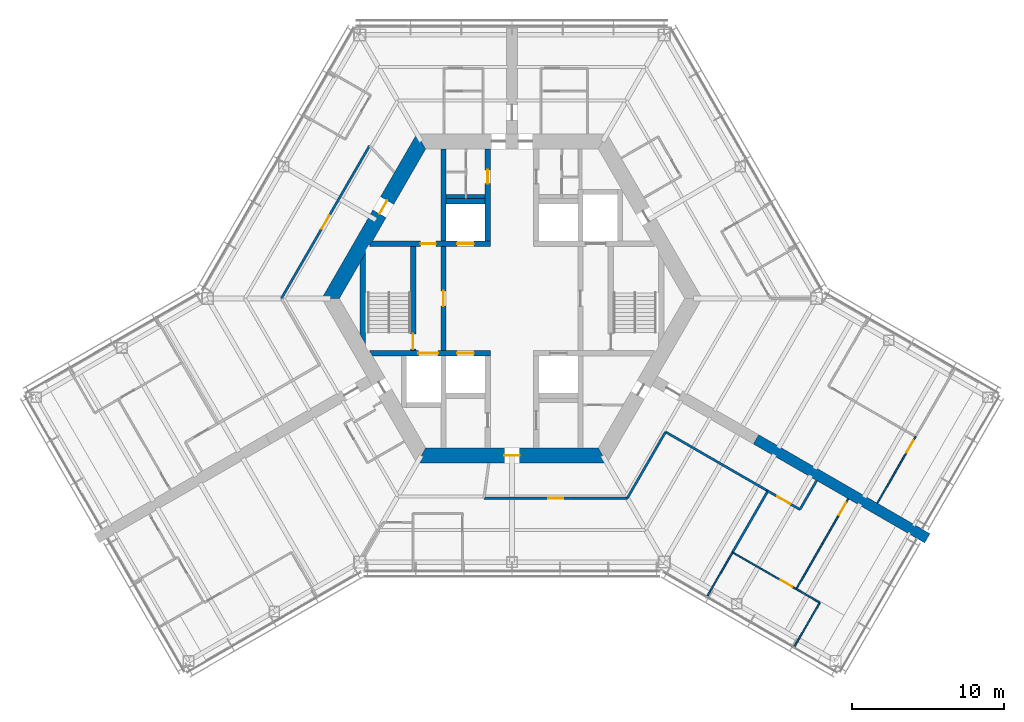
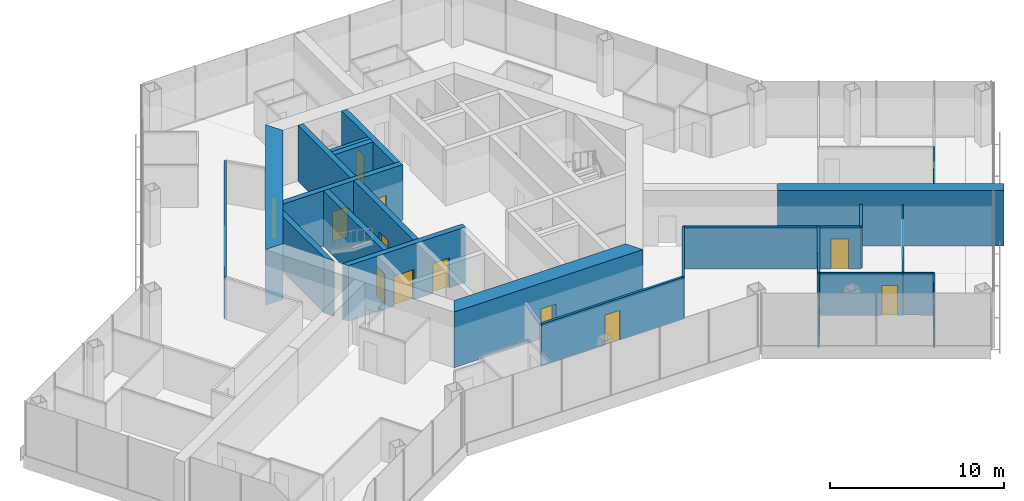
# One storey, part 13 of 18: 25 walls, 15 doors, 15 openings.
"""IFC4 building model written with IfcOpenShell, lengths in metres."""

from ifc_helpers import new_model, si_unit, direction, frame, frame_2d, origin, place, context, subcontext, project, spatial, polyline, rectangle, outline, extrude, material, layer, layer_set, type_object, element, fill, save


model = new_model("IFC4")

# Units and contexts
model_context = context("Model", 3, precision=1e-05, world=origin(), true_north=direction((0.0, 1.0)))
body_context = subcontext(model_context, "Body", "Model", "MODEL_VIEW")
ifc_project = project(units=[si_unit("LENGTHUNIT", "METRE"), si_unit("AREAUNIT", "SQUARE_METRE"), si_unit("VOLUMEUNIT", "CUBIC_METRE"), si_unit("PLANEANGLEUNIT", "RADIAN"), si_unit("MASSUNIT", "GRAM", prefix="KILO")], contexts=[model_context])

# Site, building, storey
site_placement = place(None, origin())
site = spatial("IfcSite", under=ifc_project, at=site_placement, CompositionType="ELEMENT")
building_placement = place(site_placement, origin())
building = spatial("IfcBuilding", under=site, at=building_placement, Name="Kasaneha Research Tower", CompositionType="ELEMENT")
storey_placement = place(building_placement, frame((0.0, 0.0, 191.60009765625)))
storey = spatial("IfcBuildingStorey", under=building, at=storey_placement, Name="L48", CompositionType="ELEMENT", Elevation=191.60009765625)

# Wall, openings, doors
ifc_material_1 = material(Name="Concrete Fc70", Category="concrete")
ifc_layer_1 = layer(ifc_material_1, 0.35009765625)
ifc_layer_set_1 = layer_set([ifc_layer_1], Name="Core internal wall 350 Fc70")
wall_type_1 = type_object("IfcWallType", Name="Core internal wall 350 Fc70", PredefinedType="SHEAR", material=ifc_layer_set_1)
wall_1_placement = place(storey_placement, frame((-9.266357421875, 3.60009765625, 0.0), z_axis=(0.0, 0.0, 1.0), x_axis=(1.0, 0.0, 0.0)))
wall_1 = element("IfcWall", 1, at=wall_1_placement, inside=storey, type_object=wall_type_1, Name="Core wall W1W L48", PredefinedType="SHEAR", context=body_context, shape_type="SweptSolid", body=[
    extrude(outline(polyline([(-0.10107421875, -0.175048828125), (3.266357421875, -0.175048828125), (4.266357421875, -0.175048828125), (5.66650390625, -0.175048828125), (6.7666015625, -0.175048828125), (7.84130859375, -0.175048828125), (7.84130859375, 0.175048828125), (6.7666015625, 0.175048828125), (5.66650390625, 0.175048828125), (4.266357421875, 0.175048828125), (3.266357421875, 0.175048828125), (0.10107421875, 0.175048828125), (-0.10107421875, -0.175048828125)])), origin(), (0.0, 0.0, 1.0), 3.89990234375),
])
opening_1_placement = place(wall_1_placement, frame((3.266357421875, 0.0, 0.0)))
opening_1 = element("IfcOpeningElement", 2, at=opening_1_placement, cuts=wall_1, Name="Opening L48-D12", PredefinedType="OPENING", context=body_context, shape_type="SweptSolid", body=[
    extrude(rectangle(XDim=1.0, YDim=2.10009765625, at=frame_2d((0.5, 1.050048828125))), frame((0.0, 0.18505859375, 0.0), z_axis=(0.0, -1.0, 0.0), x_axis=(1.0, 0.0, 0.0)), (0.0, 0.0, 1.0), 0.3701171875),
])
opening_2_placement = place(wall_1_placement, frame((5.66650390625, 0.0, 0.0)))
opening_2 = element("IfcOpeningElement", 3, at=opening_2_placement, cuts=wall_1, Name="Opening LD-LM1-L48", PredefinedType="OPENING", context=body_context, shape_type="SweptSolid", body=[
    extrude(rectangle(XDim=1.10009765625, YDim=2.10009765625, at=frame_2d((0.550048828125, 1.050048828125))), frame((0.0, 0.18505859375, 0.0), z_axis=(0.0, -1.0, 0.0), x_axis=(1.0, 0.0, 0.0)), (0.0, 0.0, 1.0), 0.3701171875),
])
ifc_material_2 = material(Name="Steel", Category="steel")
door_type_1 = type_object("IfcDoorType", Name="Lift landing door 1100x2100", OperationType="DOUBLE_DOOR_SLIDING", PredefinedType="DOOR", material=ifc_material_2)
door_1_placement = place(opening_2_placement, origin())
door_1 = element("IfcDoor", 4, at=door_1_placement, inside=storey, type_object=door_type_1, Name="Landing door LM1 LD-LM1-L48", OperationType="DOUBLE_DOOR_SLIDING", OverallHeight=2.10009765625, OverallWidth=1.10009765625, PredefinedType="DOOR", context=body_context, shape_type="SweptSolid", body=[
    extrude(rectangle(XDim=1.10009765625, YDim=2.10009765625, at=frame_2d((0.550048828125, 1.050048828125))), frame((0.0, 0.02490234375, 0.0), z_axis=(0.0, -1.0, 0.0), x_axis=(1.0, 0.0, 0.0)), (0.0, 0.0, 1.0), 0.050048828125),
])
fill(opening_2, door_1)
ifc_material_3 = material(Name="Steel", Category="steel")
door_type_2 = type_object("IfcDoorType", Name="Specified fire door FD60 1000x2100", OperationType="NOTDEFINED", PredefinedType="DOOR", material=ifc_material_3)
door_2_placement = place(opening_1_placement, origin())
door_2 = element("IfcDoor", 5, at=door_2_placement, inside=storey, type_object=door_type_2, Name="Vestibule to lobby door L48-D12", OperationType="SINGLE_SWING_LEFT", OverallHeight=2.10009765625, OverallWidth=1.0, PredefinedType="DOOR", context=body_context, shape_type="SweptSolid", body=[
    extrude(rectangle(XDim=1.0, YDim=2.10009765625, at=frame_2d((0.5, 1.050048828125))), frame((0.0, 0.02490234375, 0.0), z_axis=(0.0, -1.0, 0.0), x_axis=(1.0, 0.0, 0.0)), (0.0, 0.0, 1.0), 0.050048828125),
])
fill(opening_1, door_2)

wall_2_placement = place(storey_placement, frame((-9.266357421875, -3.60009765625, 0.0), z_axis=(0.0, 0.0, 1.0), x_axis=(1.0, 0.0, 0.0)))
wall_2 = element("IfcWall", 6, at=wall_2_placement, inside=storey, type_object=wall_type_1, Name="Core wall W2W L48", PredefinedType="SHEAR", context=body_context, shape_type="SweptSolid", body=[
    extrude(outline(polyline([(0.10107421875, -0.175048828125), (3.116455078125, -0.175048828125), (4.41650390625, -0.175048828125), (5.66650390625, -0.175048828125), (6.7666015625, -0.175048828125), (7.84130859375, -0.175048828125), (7.84130859375, 0.175048828125), (6.7666015625, 0.175048828125), (5.66650390625, 0.175048828125), (4.41650390625, 0.175048828125), (3.116455078125, 0.175048828125), (-0.10107421875, 0.175048828125), (0.10107421875, -0.175048828125)])), origin(), (0.0, 0.0, 1.0), 3.89990234375),
])
opening_3_placement = place(wall_2_placement, frame((5.66650390625, 0.0, 0.0)))
opening_3 = element("IfcOpeningElement", 7, at=opening_3_placement, cuts=wall_2, Name="Opening LD-LM3-L48", PredefinedType="OPENING", context=body_context, shape_type="SweptSolid", body=[
    extrude(rectangle(XDim=1.10009765625, YDim=2.10009765625, at=frame_2d((0.550048828125, 1.050048828125))), frame((0.0, 0.18505859375, 0.0), z_axis=(0.0, -1.0, 0.0), x_axis=(1.0, 0.0, 0.0)), (0.0, 0.0, 1.0), 0.3701171875),
])
opening_4_placement = place(wall_2_placement, frame((3.116455078125, 0.0, 0.0)))
opening_4 = element("IfcOpeningElement", 8, at=opening_4_placement, cuts=wall_2, Name="Opening LD-FL2-L48", PredefinedType="OPENING", context=body_context, shape_type="SweptSolid", body=[
    extrude(rectangle(XDim=1.300048828125, YDim=2.10009765625, at=frame_2d((0.64990234375, 1.050048828125))), frame((0.0, 0.18505859375, 0.0), z_axis=(0.0, -1.0, 0.0), x_axis=(1.0, 0.0, 0.0)), (0.0, 0.0, 1.0), 0.3701171875),
])
door_3_placement = place(opening_3_placement, origin())
door_3 = element("IfcDoor", 9, at=door_3_placement, inside=storey, type_object=door_type_1, Name="Landing door LM3 LD-LM3-L48", OperationType="DOUBLE_DOOR_SLIDING", OverallHeight=2.10009765625, OverallWidth=1.10009765625, PredefinedType="DOOR", context=body_context, shape_type="SweptSolid", body=[
    extrude(rectangle(XDim=1.10009765625, YDim=2.10009765625, at=frame_2d((0.550048828125, 1.050048828125))), frame((0.0, 0.02490234375, 0.0), z_axis=(0.0, -1.0, 0.0), x_axis=(1.0, 0.0, 0.0)), (0.0, 0.0, 1.0), 0.050048828125),
])
fill(opening_3, door_3)
ifc_material_4 = material(Name="Steel", Category="steel")
door_type_3 = type_object("IfcDoorType", Name="Lift landing door 1300x2100", OperationType="DOUBLE_DOOR_SLIDING", PredefinedType="DOOR", material=ifc_material_4)
door_4_placement = place(opening_4_placement, origin())
door_4 = element("IfcDoor", 10, at=door_4_placement, inside=storey, type_object=door_type_3, Name="Landing door FL2 LD-FL2-L48", OperationType="DOUBLE_DOOR_SLIDING", OverallHeight=2.10009765625, OverallWidth=1.300048828125, PredefinedType="DOOR", context=body_context, shape_type="SweptSolid", body=[
    extrude(rectangle(XDim=1.300048828125, YDim=2.10009765625, at=frame_2d((0.64990234375, 1.050048828125))), frame((0.0, 0.02490234375, 0.0), z_axis=(0.0, -1.0, 0.0), x_axis=(1.0, 0.0, 0.0)), (0.0, 0.0, 1.0), 0.050048828125),
])
fill(opening_4, door_4)

# Wall, opening, door
wall_3_placement = place(storey_placement, frame((-1.60009765625, 3.77490234375, 0.0), z_axis=(0.0, 0.0, 1.0), x_axis=(0.0, 1.0, 0.0)))
wall_3 = element("IfcWall", 11, at=wall_3_placement, inside=storey, type_object=wall_type_1, Name="Core wall CNW L48", PredefinedType="SHEAR", context=body_context, shape_type="SweptSolid", body=[
    extrude(rectangle(XDim=6.050048828125, YDim=0.35009765625, at=frame_2d((3.02490234375, 0.0))), origin(), (0.0, 0.0, 1.0), 3.89990234375),
])
opening_5_placement = place(wall_3_placement, frame((3.77490234375, 0.0, 0.0)))
opening_5 = element("IfcOpeningElement", 12, at=opening_5_placement, cuts=wall_3, Name="Opening L48-D13", PredefinedType="OPENING", context=body_context, shape_type="SweptSolid", body=[
    extrude(rectangle(XDim=0.89990234375, YDim=2.10009765625, at=frame_2d((0.449951171875, 1.050048828125))), frame((0.0, 0.18505859375, 0.0), z_axis=(0.0, -1.0, 0.0), x_axis=(1.0, 0.0, 0.0)), (0.0, 0.0, 1.0), 0.3701171875),
])
ifc_material_5 = material(Name="Steel", Category="steel")
door_type_4 = type_object("IfcDoorType", Name="Toilet door FD20 900x2100", OperationType="NOTDEFINED", PredefinedType="DOOR", material=ifc_material_5)
door_5_placement = place(opening_5_placement, origin())
door_5 = element("IfcDoor", 13, at=door_5_placement, inside=storey, type_object=door_type_4, Name="Men's WC door L48-D13", OperationType="SINGLE_SWING_LEFT", OverallHeight=2.10009765625, OverallWidth=0.89990234375, PredefinedType="DOOR", context=body_context, shape_type="SweptSolid", body=[
    extrude(rectangle(XDim=0.89990234375, YDim=2.10009765625, at=frame_2d((0.449951171875, 1.050048828125))), frame((0.0, 0.02490234375, 0.0), z_axis=(0.0, -1.0, 0.0), x_axis=(1.0, 0.0, 0.0)), (0.0, 0.0, 1.0), 0.050048828125),
])
fill(opening_5, door_5)

wall_4_placement = place(storey_placement, frame((-4.5, -3.425048828125, 0.0), z_axis=(0.0, 0.0, 1.0), x_axis=(0.0, 1.0, 0.0)))
wall_4 = element("IfcWall", 14, at=wall_4_placement, inside=storey, type_object=wall_type_1, Name="Core wall LBW L48", PredefinedType="SHEAR", context=body_context, shape_type="SweptSolid", body=[
    extrude(rectangle(XDim=6.85009765625, YDim=0.35009765625, at=frame_2d((3.425048828125, 0.0))), origin(), (0.0, 0.0, 1.0), 3.89990234375),
])
opening_6_placement = place(wall_4_placement, frame((2.925048828125, 0.0, 0.0)))
opening_6 = element("IfcOpeningElement", 15, at=opening_6_placement, cuts=wall_4, Name="Opening L48-D09", PredefinedType="OPENING", context=body_context, shape_type="SweptSolid", body=[
    extrude(rectangle(XDim=1.0, YDim=2.10009765625, at=frame_2d((0.5, 1.050048828125))), frame((0.0, 0.18505859375, 0.0), z_axis=(0.0, -1.0, 0.0), x_axis=(1.0, 0.0, 0.0)), (0.0, 0.0, 1.0), 0.3701171875),
])
door_6_placement = place(opening_6_placement, origin())
door_6 = element("IfcDoor", 16, at=door_6_placement, inside=storey, type_object=door_type_2, Name="Lift lobby door west L48-D09", OperationType="SINGLE_SWING_LEFT", OverallHeight=2.10009765625, OverallWidth=1.0, PredefinedType="DOOR", context=body_context, shape_type="SweptSolid", body=[
    extrude(rectangle(XDim=1.0, YDim=2.10009765625, at=frame_2d((0.5, 1.050048828125))), frame((0.0, 0.02490234375, 0.0), z_axis=(0.0, -1.0, 0.0), x_axis=(1.0, 0.0, 0.0)), (0.0, 0.0, 1.0), 0.050048828125),
])
fill(opening_6, door_6)

wall_5_placement = place(storey_placement, frame((-6.5, -3.425048828125, 0.0), z_axis=(0.0, 0.0, 1.0), x_axis=(0.0, 1.0, 0.0)))
wall_5 = element("IfcWall", 17, at=wall_5_placement, inside=storey, type_object=wall_type_1, Name="Core wall ANW L48", PredefinedType="SHEAR", context=body_context, shape_type="SweptSolid", body=[
    extrude(rectangle(XDim=6.85009765625, YDim=0.35009765625, at=frame_2d((3.425048828125, 0.0))), origin(), (0.0, 0.0, 1.0), 3.89990234375),
])
opening_7_placement = place(wall_5_placement, frame((0.10009765625, 0.0, 0.0)))
opening_7 = element("IfcOpeningElement", 18, at=opening_7_placement, cuts=wall_5, Name="Opening L48-D11", PredefinedType="OPENING", context=body_context, shape_type="SweptSolid", body=[
    extrude(rectangle(XDim=1.0, YDim=2.10009765625, at=frame_2d((0.5, 1.050048828125))), frame((0.0, 0.18505859375, 0.0), z_axis=(0.0, -1.0, 0.0), x_axis=(1.0, 0.0, 0.0)), (0.0, 0.0, 1.0), 0.3701171875),
])
door_7_placement = place(opening_7_placement, origin())
door_7 = element("IfcDoor", 19, at=door_7_placement, inside=storey, type_object=door_type_2, Name="Stair 2 door L48-D11", OperationType="SINGLE_SWING_LEFT", OverallHeight=2.10009765625, OverallWidth=1.0, PredefinedType="DOOR", context=body_context, shape_type="SweptSolid", body=[
    extrude(rectangle(XDim=1.0, YDim=2.10009765625, at=frame_2d((0.5, 1.050048828125))), frame((0.0, 0.02490234375, 0.0), z_axis=(0.0, -1.0, 0.0), x_axis=(1.0, 0.0, 0.0)), (0.0, 0.0, 1.0), 0.050048828125),
])
fill(opening_7, door_7)

# Walls
wall_6_placement = place(storey_placement, frame((-4.5, 3.77490234375, 0.0), z_axis=(0.0, 0.0, 1.0), x_axis=(0.0, 1.0, 0.0)))
element("IfcWall", 20, at=wall_6_placement, inside=storey, type_object=wall_type_1, Name="Core wall VNW L48", PredefinedType="SHEAR", context=body_context, shape_type="SweptSolid", body=[
    extrude(rectangle(XDim=6.050048828125, YDim=0.35009765625, at=frame_2d((3.02490234375, 0.0))), origin(), (0.0, 0.0, 1.0), 3.89990234375),
])
wall_7_placement = place(storey_placement, frame((-4.324951171875, 6.39990234375, 0.0), z_axis=(0.0, 0.0, 1.0), x_axis=(1.0, 0.0, 0.0)))
element("IfcWall", 21, at=wall_7_placement, inside=storey, type_object=wall_type_1, Name="Core wall N1N L48", PredefinedType="SHEAR", context=body_context, shape_type="SweptSolid", body=[
    extrude(rectangle(XDim=2.550048828125, YDim=0.35009765625, at=frame_2d((1.27490234375, 0.0))), origin(), (0.0, 0.0, 1.0), 3.89990234375),
])
wall_8_placement = place(storey_placement, frame((-9.807861328125, -2.662353515625, 0.0), z_axis=(0.0, 0.0, 1.0), x_axis=(0.0, 1.0, 0.0)))
element("IfcWall", 22, at=wall_8_placement, inside=storey, type_object=wall_type_1, Name="Core wall STW L48", PredefinedType="SHEAR", context=body_context, shape_type="SweptSolid", body=[
    extrude(outline(polyline([(-0.30322265625, -0.175048828125), (5.6279296875, -0.175048828125), (5.021484375, 0.175048828125), (0.30322265625, 0.175048828125), (-0.30322265625, -0.175048828125)])), origin(), (0.0, 0.0, 1.0), 3.89990234375),
])

# Wall, opening, door
ifc_material_6 = material(Name="Concrete Fc70", Category="concrete")
ifc_layer_2 = layer(ifc_material_6, 1.0)
ifc_layer_set_2 = layer_set([ifc_layer_2], Name="Core wall 1000 Fc70")
wall_type_2 = type_object("IfcWallType", Name="Core wall 1000 Fc70", PredefinedType="SHEAR", material=ifc_layer_set_2)
wall_9_placement = place(storey_placement, frame((-5.961181640625, 10.324951171875, 0.0), z_axis=(0.0, 0.0, 1.0), x_axis=(-0.500004296715, -0.866022923061, 0.0)))
wall_9 = element("IfcWall", 23, at=wall_9_placement, inside=storey, type_object=wall_type_2, Name="Core wall 150 L48", PredefinedType="SHEAR", context=body_context, shape_type="SweptSolid", body=[
    extrude(outline(polyline([(-0.28857421875, -0.5), (4.494140625, -0.5), (5.494140625, -0.5), (12.2109375, -0.5), (11.6337890625, 0.5), (5.494140625, 0.5), (4.494140625, 0.5), (0.28857421875, 0.5), (-0.28857421875, -0.5)])), origin(), (0.0, 0.0, 1.0), 3.89990234375),
])
opening_8_placement = place(wall_9_placement, frame((4.494140625, 0.0, 0.0)))
opening_8 = element("IfcOpeningElement", 24, at=opening_8_placement, cuts=wall_9, Name="Opening L48-D07", PredefinedType="OPENING", context=body_context, shape_type="SweptSolid", body=[
    extrude(rectangle(XDim=1.0, YDim=2.10009765625, at=frame_2d((0.5, 1.050048828125))), frame((0.0, 0.510009765625, 0.0), z_axis=(0.0, -1.0, 0.0), x_axis=(1.0, 0.0, 0.0)), (0.0, 0.0, 1.0), 1.02001953125),
])
ifc_material_7 = material(Name="Steel", Category="steel")
door_type_5 = type_object("IfcDoorType", Name="Fire door FD20 1000x2100", OperationType="NOTDEFINED", PredefinedType="DOOR", material=ifc_material_7)
door_8_placement = place(opening_8_placement, origin())
door_8 = element("IfcDoor", 25, at=door_8_placement, inside=storey, type_object=door_type_5, Name="Vestibule door L48-D07", OperationType="SINGLE_SWING_LEFT", OverallHeight=2.10009765625, OverallWidth=1.0, PredefinedType="DOOR", context=body_context, shape_type="SweptSolid", body=[
    extrude(rectangle(XDim=1.0, YDim=2.10009765625, at=frame_2d((0.5, 1.050048828125))), frame((0.0, 0.02490234375, 0.0), z_axis=(0.0, -1.0, 0.0), x_axis=(1.0, 0.0, 0.0)), (0.0, 0.0, 1.0), 0.050048828125),
])
fill(opening_8, door_8)

wall_10_placement = place(storey_placement, frame((-5.961181640625, -10.324951171875, 0.0), z_axis=(0.0, 0.0, 1.0), x_axis=(1.0, 0.0, 0.0)))
wall_10 = element("IfcWall", 26, at=wall_10_placement, inside=storey, type_object=wall_type_2, Name="Core wall 270 L48", PredefinedType="SHEAR", context=body_context, shape_type="SweptSolid", body=[
    extrude(outline(polyline([(-0.28857421875, -0.5), (5.461181640625, -0.5), (6.461181640625, -0.5), (12.2109375, -0.5), (11.6337890625, 0.5), (6.461181640625, 0.5), (5.461181640625, 0.5), (0.28857421875, 0.5), (-0.28857421875, -0.5)])), origin(), (0.0, 0.0, 1.0), 3.89990234375),
])
opening_9_placement = place(wall_10_placement, frame((5.461181640625, 0.0, 0.0)))
opening_9 = element("IfcOpeningElement", 27, at=opening_9_placement, cuts=wall_10, Name="Opening L48-D03", PredefinedType="OPENING", context=body_context, shape_type="SweptSolid", body=[
    extrude(rectangle(XDim=1.0, YDim=2.10009765625, at=frame_2d((0.5, 1.050048828125))), frame((0.0, 0.510009765625, 0.0), z_axis=(0.0, -1.0, 0.0), x_axis=(1.0, 0.0, 0.0)), (0.0, 0.0, 1.0), 1.02001953125),
])
door_9_placement = place(opening_9_placement, origin())
door_9 = element("IfcDoor", 28, at=door_9_placement, inside=storey, type_object=door_type_5, Name="Core door south L48-D03", OperationType="SINGLE_SWING_LEFT", OverallHeight=2.10009765625, OverallWidth=1.0, PredefinedType="DOOR", context=body_context, shape_type="SweptSolid", body=[
    extrude(rectangle(XDim=1.0, YDim=2.10009765625, at=frame_2d((0.5, 1.050048828125))), frame((0.0, 0.02490234375, 0.0), z_axis=(0.0, -1.0, 0.0), x_axis=(1.0, 0.0, 0.0)), (0.0, 0.0, 1.0), 0.050048828125),
])
fill(opening_9, door_9)

ifc_material_8 = material(Name="Gypsum board on steel studs, one layer each side", Category="steel")
ifc_layer_3 = layer(ifc_material_8, 0.10009765625)
ifc_layer_set_3 = layer_set([ifc_layer_3], Name="Office partition 100")
wall_type_3 = type_object("IfcWallType", Name="Office partition 100", PredefinedType="PARTITIONING", material=ifc_layer_set_3)
wall_11_placement = place(storey_placement, frame((24.017578125, -13.439208984375, 0.0), z_axis=(0.0, 0.0, 1.0), x_axis=(0.498430118894, 0.866929879851, 0.0)))
wall_11 = element("IfcWall", 29, at=wall_11_placement, inside=storey, type_object=wall_type_3, Name="Office partition FCE04 L48", PredefinedType="PARTITIONING", context=body_context, shape_type="SweptSolid", body=[
    extrude(rectangle(XDim=5.033935546875, YDim=0.10009765625, at=frame_2d((2.51708984375, 0.0))), origin(), (0.0, 0.0, 1.0), 2.949951171875),
])
opening_10_placement = place(wall_11_placement, frame((3.833984375, 0.0, 0.0)))
opening_10 = element("IfcOpeningElement", 30, at=opening_10_placement, cuts=wall_11, Name="Opening L48-D42", PredefinedType="OPENING", context=body_context, shape_type="SweptSolid", body=[
    extrude(rectangle(XDim=0.89990234375, YDim=2.10009765625, at=frame_2d((0.449951171875, 1.050048828125))), frame((0.0, 0.06005859375, 0.0), z_axis=(0.0, -1.0, 0.0), x_axis=(1.0, 0.0, 0.0)), (0.0, 0.0, 1.0), 0.1201171875),
])
ifc_material_9 = material(Name="Timber veneer", Category="wood")
door_type_6 = type_object("IfcDoorType", Name="Office door 900x2100", OperationType="SINGLE_SWING_LEFT", PredefinedType="DOOR", material=ifc_material_9)
door_10_placement = place(opening_10_placement, origin())
door_10 = element("IfcDoor", 31, at=door_10_placement, inside=storey, type_object=door_type_6, Name="Meeting room door L48-D42", OperationType="SINGLE_SWING_RIGHT", OverallHeight=2.10009765625, OverallWidth=0.89990234375, PredefinedType="DOOR", context=body_context, shape_type="SweptSolid", body=[
    extrude(rectangle(XDim=0.89990234375, YDim=2.10009765625, at=frame_2d((0.449951171875, 1.050048828125))), frame((0.0, 0.02490234375, 0.0), z_axis=(0.0, -1.0, 0.0), x_axis=(1.0, 0.0, 0.0)), (0.0, 0.0, 1.0), 0.050048828125),
])
fill(opening_10, door_10)

# Walls
wall_12_placement = place(storey_placement, frame((18.57275390625, -22.853271484375, 0.0), z_axis=(0.0, 0.0, 1.0), x_axis=(0.499920671713, 0.866071199148, 0.0)))
element("IfcWall", 32, at=wall_12_placement, inside=storey, type_object=wall_type_3, Name="Office partition FCS07 L48", PredefinedType="PARTITIONING", context=body_context, shape_type="SweptSolid", body=[
    extrude(rectangle(XDim=3.30517578125, YDim=0.10009765625, at=frame_2d((1.652587890625, 0.0))), origin(), (0.0, 0.0, 1.0), 2.949951171875),
])
wall_13_placement = place(storey_placement, frame((20.22509765625, -19.99072265625, 0.0), z_axis=(0.0, 0.0, 1.0), x_axis=(-0.864647633554, 0.502378811047, 0.0)))
element("IfcWall", 33, at=wall_13_placement, inside=storey, type_object=wall_type_3, Name="Office partition FCS08 L48", PredefinedType="PARTITIONING", context=body_context, shape_type="SweptSolid", body=[
    extrude(rectangle(XDim=1.791259765625, YDim=0.10009765625, at=frame_2d((0.8955078125, 0.0))), origin(), (0.0, 0.0, 1.0), 2.949951171875),
])

# Wall, opening, door
wall_14_placement = place(storey_placement, frame((18.67822265625, -19.097412109375, 0.0), z_axis=(0.0, 0.0, 1.0), x_axis=(0.499488276661, 0.86632064588, 0.0)))
wall_14 = element("IfcWall", 34, at=wall_14_placement, inside=storey, type_object=wall_type_3, Name="Office partition FCS09 L48", PredefinedType="PARTITIONING", context=body_context, shape_type="SweptSolid", body=[
    extrude(rectangle(XDim=6.829833984375, YDim=0.10009765625, at=frame_2d((3.4150390625, 0.0))), origin(), (0.0, 0.0, 1.0), 2.949951171875),
])
opening_11_placement = place(wall_14_placement, frame((5.629638671875, 0.0, 0.0)))
opening_11 = element("IfcOpeningElement", 35, at=opening_11_placement, cuts=wall_14, Name="Opening L48-D45", PredefinedType="OPENING", context=body_context, shape_type="SweptSolid", body=[
    extrude(rectangle(XDim=0.89990234375, YDim=2.10009765625, at=frame_2d((0.449951171875, 1.050048828125))), frame((0.0, 0.06005859375, 0.0), z_axis=(0.0, -1.0, 0.0), x_axis=(1.0, 0.0, 0.0)), (0.0, 0.0, 1.0), 0.1201171875),
])
door_11_placement = place(opening_11_placement, origin())
door_11 = element("IfcDoor", 36, at=door_11_placement, inside=storey, type_object=door_type_6, Name="Meeting room door L48-D45", OperationType="SINGLE_SWING_RIGHT", OverallHeight=2.10009765625, OverallWidth=0.89990234375, PredefinedType="DOOR", context=body_context, shape_type="SweptSolid", body=[
    extrude(rectangle(XDim=0.89990234375, YDim=2.10009765625, at=frame_2d((0.449951171875, 1.050048828125))), frame((0.0, 0.02490234375, 0.0), z_axis=(0.0, -1.0, 0.0), x_axis=(1.0, 0.0, 0.0)), (0.0, 0.0, 1.0), 0.050048828125),
])
fill(opening_11, door_11)

# Wall
wall_15_placement = place(storey_placement, frame((12.839599609375, -19.543212890625, 0.0), z_axis=(0.0, 0.0, 1.0), x_axis=(0.501269197563, 0.865291391136, 0.0)))
element("IfcWall", 37, at=wall_15_placement, inside=storey, type_object=wall_type_3, Name="Office partition FCS14 L48", PredefinedType="PARTITIONING", context=body_context, shape_type="SweptSolid", body=[
    extrude(rectangle(XDim=3.30517578125, YDim=0.10009765625, at=frame_2d((1.652587890625, 0.0))), origin(), (0.0, 0.0, 1.0), 2.949951171875),
])

# Wall, opening, door
wall_16_placement = place(storey_placement, frame((14.489990234375, -16.684814453125, 0.0), z_axis=(0.0, 0.0, 1.0), x_axis=(0.866481441777, -0.499209285827, 0.0)))
wall_16 = element("IfcWall", 38, at=wall_16_placement, inside=storey, type_object=wall_type_3, Name="Office partition FCS15 L48", PredefinedType="PARTITIONING", context=body_context, shape_type="SweptSolid", body=[
    extrude(rectangle(XDim=4.833251953125, YDim=0.10009765625, at=frame_2d((2.41650390625, 0.0))), origin(), (0.0, 0.0, 1.0), 2.949951171875),
])
opening_12_placement = place(wall_16_placement, frame((3.63330078125, 0.0, 0.0)))
opening_12 = element("IfcOpeningElement", 39, at=opening_12_placement, cuts=wall_16, Name="Opening L48-D47", PredefinedType="OPENING", context=body_context, shape_type="SweptSolid", body=[
    extrude(rectangle(XDim=0.89990234375, YDim=2.10009765625, at=frame_2d((0.449951171875, 1.050048828125))), frame((0.0, 0.06005859375, 0.0), z_axis=(0.0, -1.0, 0.0), x_axis=(1.0, 0.0, 0.0)), (0.0, 0.0, 1.0), 0.1201171875),
])
door_12_placement = place(opening_12_placement, origin())
door_12 = element("IfcDoor", 40, at=door_12_placement, inside=storey, type_object=door_type_6, Name="Meeting room door L48-D47", OperationType="SINGLE_SWING_RIGHT", OverallHeight=2.10009765625, OverallWidth=0.89990234375, PredefinedType="DOOR", context=body_context, shape_type="SweptSolid", body=[
    extrude(rectangle(XDim=0.89990234375, YDim=2.10009765625, at=frame_2d((0.449951171875, 1.050048828125))), frame((0.0, 0.02490234375, 0.0), z_axis=(0.0, -1.0, 0.0), x_axis=(1.0, 0.0, 0.0)), (0.0, 0.0, 1.0), 0.050048828125),
])
fill(opening_12, door_12)

# Wall
ifc_material_10 = material(Name="Concrete Fc70", Category="concrete")
ifc_layer_4 = layer(ifc_material_10, 0.699951171875)
ifc_layer_set_4 = layer_set([ifc_layer_4], Name="Spine wall 700 Fc70")
wall_type_4 = type_object("IfcWallType", Name="Spine wall 700 Fc70", PredefinedType="SHEAR", material=ifc_layer_set_4)
wall_17_placement = place(storey_placement, frame((16.039306640625, -9.26025390625, 0.0), z_axis=(0.0, 0.0, 1.0), x_axis=(0.866024837091, -0.50000098154, 0.0)))
element("IfcWall", 41, at=wall_17_placement, inside=storey, type_object=wall_type_4, Name="Spine wall C wing L48", PredefinedType="SHEAR", context=body_context, shape_type="SweptSolid", body=[
    extrude(rectangle(XDim=13.0, YDim=0.699951171875, at=frame_2d((6.5, 0.0))), origin(), (0.0, 0.0, 1.0), 3.89990234375),
])

# Wall, opening, door
ifc_material_11 = material(Name="Gypsum board on steel studs, two layers each side", Category="steel")
ifc_layer_5 = layer(ifc_material_11, 0.14990234375)
ifc_layer_set_5 = layer_set([ifc_layer_5], Name="Suite partition 150")
wall_type_5 = type_object("IfcWallType", Name="Suite partition 150", PredefinedType="PARTITIONING", material=ifc_layer_set_5)
wall_18_placement = place(storey_placement, frame((-15.155517578125, 0.0, 0.0), z_axis=(0.0, 0.0, 1.0), x_axis=(0.500012970505, 0.86601791513, 0.0)))
wall_18 = element("IfcWall", 42, at=wall_18_placement, inside=storey, type_object=wall_type_5, Name="Suite partition FBN02 L48", PredefinedType="PARTITIONING", context=body_context, shape_type="SweptSolid", body=[
    extrude(rectangle(XDim=11.590576171875, YDim=0.14990234375, at=frame_2d((5.79541015625, 0.0))), origin(), (0.0, 0.0, 1.0), 2.949951171875),
])
opening_13_placement = place(wall_18_placement, frame((5.295166015625, 0.0, 0.0)))
opening_13 = element("IfcOpeningElement", 43, at=opening_13_placement, cuts=wall_18, Name="Opening L48-D32", PredefinedType="OPENING", context=body_context, shape_type="SweptSolid", body=[
    extrude(rectangle(XDim=1.0, YDim=2.10009765625, at=frame_2d((0.5, 1.050048828125))), frame((0.0, 0.0849609375, 0.0), z_axis=(0.0, -1.0, 0.0), x_axis=(1.0, 0.0, 0.0)), (0.0, 0.0, 1.0), 0.169921875),
])
ifc_material_12 = material(Name="Steel", Category="steel")
door_type_7 = type_object("IfcDoorType", Name="Suite entrance door FD60 1000x2100", OperationType="NOTDEFINED", PredefinedType="DOOR", material=ifc_material_12)
door_13_placement = place(opening_13_placement, origin())
door_13 = element("IfcDoor", 44, at=door_13_placement, inside=storey, type_object=door_type_7, Name="Suite entrance door L48-D32", OperationType="SINGLE_SWING_RIGHT", OverallHeight=2.10009765625, OverallWidth=1.0, PredefinedType="DOOR", context=body_context, shape_type="SweptSolid", body=[
    extrude(rectangle(XDim=1.0, YDim=2.10009765625, at=frame_2d((0.5, 1.050048828125))), frame((0.0, 0.02490234375, 0.0), z_axis=(0.0, -1.0, 0.0), x_axis=(1.0, 0.0, 0.0)), (0.0, 0.0, 1.0), 0.050048828125),
])
fill(opening_13, door_13)

wall_19_placement = place(storey_placement, frame((7.57763671875, -13.125, 0.0), z_axis=(0.0, 0.0, 1.0), x_axis=(-1.0, 0.0, 0.0)))
wall_19 = element("IfcWall", 45, at=wall_19_placement, inside=storey, type_object=wall_type_5, Name="Suite partition FCS02 L48", PredefinedType="PARTITIONING", context=body_context, shape_type="SweptSolid", body=[
    extrude(rectangle(XDim=9.422119140625, YDim=0.14990234375, at=frame_2d((4.7109375, 0.0))), origin(), (0.0, 0.0, 1.0), 2.949951171875),
])
opening_14_placement = place(wall_19_placement, frame((4.211181640625, 0.0, 0.0)))
opening_14 = element("IfcOpeningElement", 46, at=opening_14_placement, cuts=wall_19, Name="Opening L48-D43", PredefinedType="OPENING", context=body_context, shape_type="SweptSolid", body=[
    extrude(rectangle(XDim=1.0, YDim=2.10009765625, at=frame_2d((0.5, 1.050048828125))), frame((0.0, 0.0849609375, 0.0), z_axis=(0.0, -1.0, 0.0), x_axis=(1.0, 0.0, 0.0)), (0.0, 0.0, 1.0), 0.169921875),
])
door_14_placement = place(opening_14_placement, origin())
door_14 = element("IfcDoor", 47, at=door_14_placement, inside=storey, type_object=door_type_7, Name="Suite entrance door L48-D43", OperationType="SINGLE_SWING_LEFT", OverallHeight=2.10009765625, OverallWidth=1.0, PredefinedType="DOOR", context=body_context, shape_type="SweptSolid", body=[
    extrude(rectangle(XDim=1.0, YDim=2.10009765625, at=frame_2d((0.5, 1.050048828125))), frame((0.0, 0.02490234375, 0.0), z_axis=(0.0, -1.0, 0.0), x_axis=(1.0, 0.0, 0.0)), (0.0, 0.0, 1.0), 0.050048828125),
])
fill(opening_14, door_14)

# Walls
wall_20_placement = place(storey_placement, frame((10.091552734375, -8.77099609375, 0.0), z_axis=(0.0, 0.0, 1.0), x_axis=(-0.500019495363, -0.866014147839, 0.0)))
element("IfcWall", 48, at=wall_20_placement, inside=storey, type_object=wall_type_5, Name="Suite partition FCS03 L48", PredefinedType="PARTITIONING", context=body_context, shape_type="SweptSolid", body=[
    extrude(rectangle(XDim=5.027587890625, YDim=0.14990234375, at=frame_2d((2.513671875, 0.0))), origin(), (0.0, 0.0, 1.0), 2.949951171875),
])
wall_21_placement = place(storey_placement, frame((16.821533203125, -12.656494140625, 0.0), z_axis=(0.0, 0.0, 1.0), x_axis=(-0.866028634939, 0.499994403434, 0.0)))
element("IfcWall", 49, at=wall_21_placement, inside=storey, type_object=wall_type_5, Name="Suite partition FCS04 L48", PredefinedType="PARTITIONING", context=body_context, shape_type="SweptSolid", body=[
    extrude(rectangle(XDim=7.77099609375, YDim=0.14990234375, at=frame_2d((3.885498046875, 0.0))), origin(), (0.0, 0.0, 1.0), 2.949951171875),
])

# Wall, opening, door
wall_22_placement = place(storey_placement, frame((18.921142578125, -13.86865234375, 0.0), z_axis=(0.0, 0.0, 1.0), x_axis=(-0.866000196749, 0.500043657324, 0.0)))
wall_22 = element("IfcWall", 50, at=wall_22_placement, inside=storey, type_object=wall_type_5, Name="Suite partition FCS05 L48", PredefinedType="PARTITIONING", context=body_context, shape_type="SweptSolid", body=[
    extrude(rectangle(XDim=2.434326171875, YDim=0.14990234375, at=frame_2d((1.21728515625, 0.0))), origin(), (0.0, 0.0, 1.0), 2.949951171875),
])
opening_15_placement = place(wall_22_placement, frame((0.71728515625, 0.0, 0.0)))
opening_15 = element("IfcOpeningElement", 51, at=opening_15_placement, cuts=wall_22, Name="Opening L48-D44", PredefinedType="OPENING", context=body_context, shape_type="SweptSolid", body=[
    extrude(rectangle(XDim=1.0, YDim=2.10009765625, at=frame_2d((0.5, 1.050048828125))), frame((0.0, 0.0849609375, 0.0), z_axis=(0.0, -1.0, 0.0), x_axis=(1.0, 0.0, 0.0)), (0.0, 0.0, 1.0), 0.169921875),
])
door_15_placement = place(opening_15_placement, origin())
door_15 = element("IfcDoor", 52, at=door_15_placement, inside=storey, type_object=door_type_7, Name="Suite entrance door L48-D44", OperationType="SINGLE_SWING_RIGHT", OverallHeight=2.10009765625, OverallWidth=1.0, PredefinedType="DOOR", context=body_context, shape_type="SweptSolid", body=[
    extrude(rectangle(XDim=1.0, YDim=2.10009765625, at=frame_2d((0.5, 1.050048828125))), frame((0.0, 0.02490234375, 0.0), z_axis=(0.0, -1.0, 0.0), x_axis=(1.0, 0.0, 0.0)), (0.0, 0.0, 1.0), 0.050048828125),
])
fill(opening_15, door_15)

# Walls
wall_23_placement = place(storey_placement, frame((20.01123046875, -11.980712890625, 0.0), z_axis=(0.0, 0.0, 1.0), x_axis=(-0.500029427677, -0.866008413041, 0.0)))
element("IfcWall", 53, at=wall_23_placement, inside=storey, type_object=wall_type_5, Name="Suite partition FCS06 L48", PredefinedType="PARTITIONING", context=body_context, shape_type="SweptSolid", body=[
    extrude(rectangle(XDim=2.179931640625, YDim=0.14990234375, at=frame_2d((1.08984375, 0.0))), origin(), (0.0, 0.0, 1.0), 2.949951171875),
])
wall_24_placement = place(storey_placement, frame((16.8125, -12.65185546875, 0.0), z_axis=(0.0, 0.0, 1.0), x_axis=(-0.499085020987, -0.86655302309, 0.0)))
element("IfcWall", 54, at=wall_24_placement, inside=storey, type_object=wall_type_5, Name="Suite partition FCS17 L48", PredefinedType="PARTITIONING", context=body_context, shape_type="SweptSolid", body=[
    extrude(rectangle(XDim=4.654052734375, YDim=0.14990234375, at=frame_2d((2.3271484375, 0.0))), origin(), (0.0, 0.0, 1.0), 2.949951171875),
])
ifc_material_13 = material(Name="Concrete block lining", Category="concrete")
ifc_layer_6 = layer(ifc_material_13, 0.25)
ifc_layer_set_6 = layer_set([ifc_layer_6], Name="WC plumbing wall 250")
wall_type_6 = type_object("IfcWallType", Name="WC plumbing wall 250", PredefinedType="PLUMBINGWALL", material=ifc_layer_set_6)
wall_25_placement = place(storey_placement, frame((-4.324951171875, 6.699951171875, 0.0), z_axis=(0.0, 0.0, 1.0), x_axis=(1.0, 0.0, 0.0)))
element("IfcWall", 55, at=wall_25_placement, inside=storey, type_object=wall_type_6, Name="WC plumbing wall M L48", PredefinedType="PLUMBINGWALL", context=body_context, shape_type="SweptSolid", body=[
    extrude(rectangle(XDim=2.550048828125, YDim=0.25, at=frame_2d((1.27490234375, 0.0))), origin(), (0.0, 0.0, 1.0), 3.89990234375),
])

save(model, "model.ifc")
